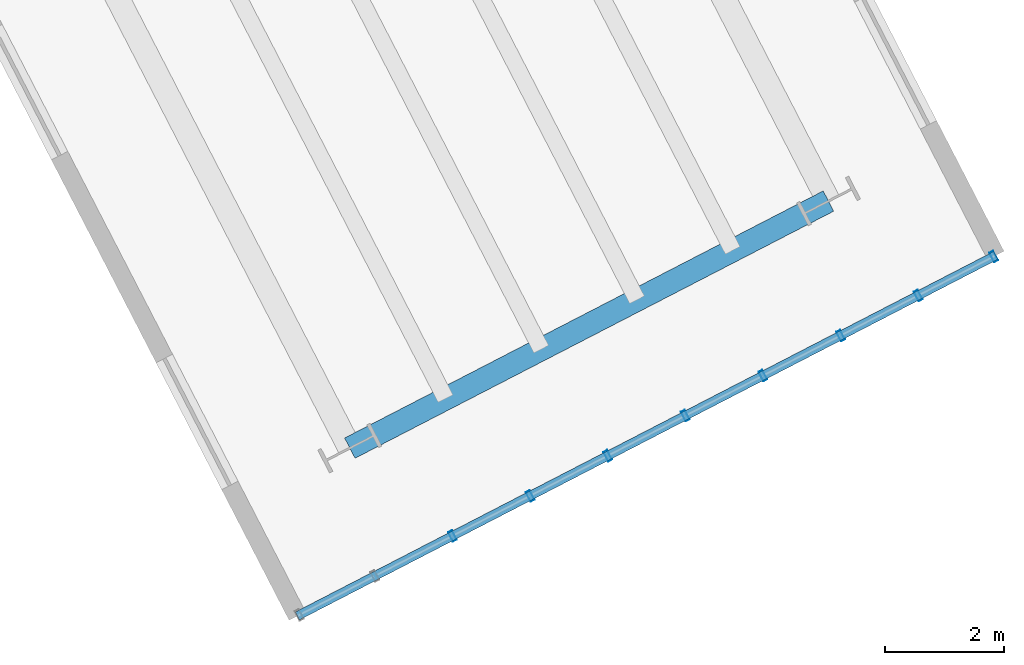
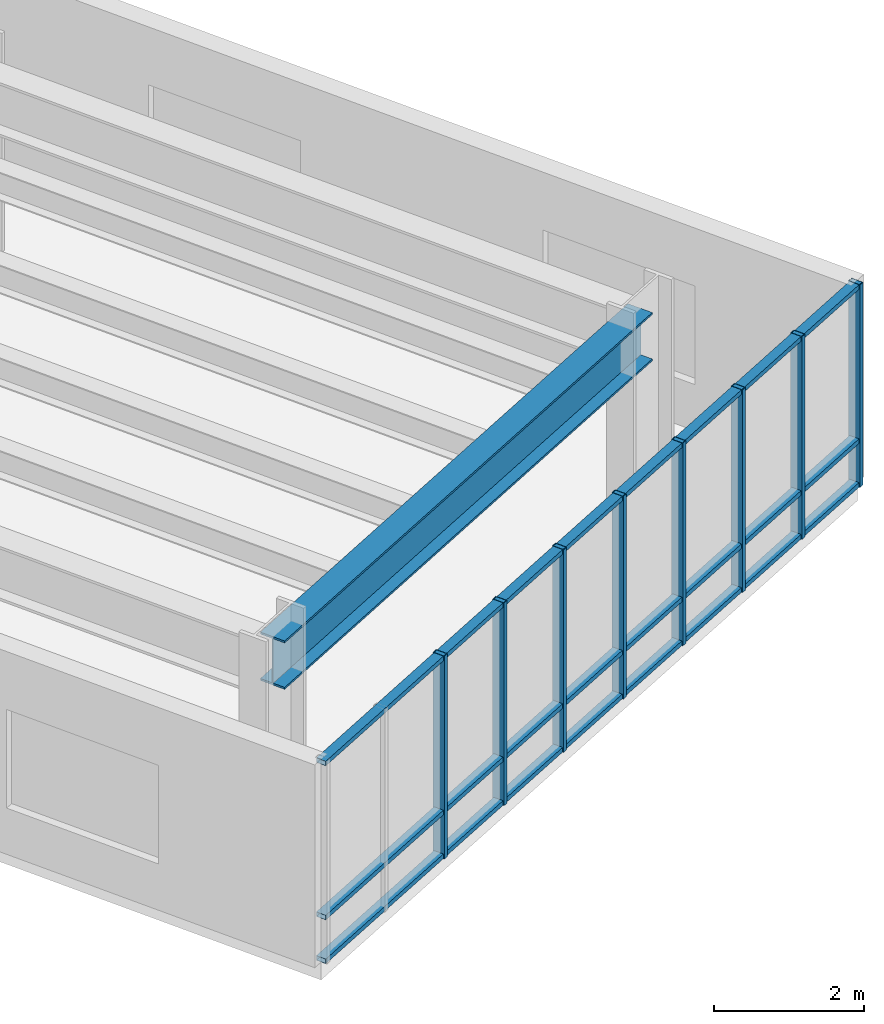
# One storey, part 4 of 11: 11 members, 1 beam, 1 element without a shape of its own.
"""IFC4 building model written with IfcOpenShell, lengths in metres."""

from ifc_helpers import new_model, si_unit, direction, frame, origin, origin_2d, place, context, subcontext, project, spatial, hollow_rectangle, i_section, extrude, material, layer, layer_set, material_profile, profile_set, type_object, element, aggregate, save


model = new_model("IFC4")

# Units and contexts
model_context = context("Model", 3, precision=1e-05, world=origin(), true_north=direction((0.0, 1.0)))
body_context = subcontext(model_context, "Body", "Model", "MODEL_VIEW")
ifc_project = project(units=[si_unit("LENGTHUNIT", "METRE"), si_unit("AREAUNIT", "SQUARE_METRE"), si_unit("VOLUMEUNIT", "CUBIC_METRE"), si_unit("PLANEANGLEUNIT", "RADIAN"), si_unit("MASSUNIT", "GRAM", prefix="KILO"), si_unit("THERMODYNAMICTEMPERATUREUNIT", "KELVIN"), si_unit("POWERUNIT", "WATT")], contexts=[model_context])

# Site, building, storey
site_placement = place(None, origin())
site = spatial("IfcSite", under=ifc_project, at=site_placement, CompositionType="ELEMENT")
building_placement = place(site_placement, origin())
building = spatial("IfcBuilding", under=site, at=building_placement, Name="Skarre Station Tower", CompositionType="ELEMENT")
storey_placement = place(building_placement, frame((0.0, 0.0, 241.89990234375)))
storey = spatial("IfcBuildingStorey", under=building, at=storey_placement, Name="L66", CompositionType="ELEMENT", Elevation=241.89990234375)

# Curtain wall, members
ifc_material_1 = material(Name="Thermally Broken Bronze-Anodized Aluminium & Triple Low-E Glass", Category="aluminium")
ifc_layer = layer(ifc_material_1, 0.2099609375, Name="Thermally Broken Bronze-Anodized Aluminium & Triple Low-E Glass")
ifc_layer_set = layer_set([ifc_layer], Name="Thermally Broken Bronze-Anodized Aluminium & Triple Low-E Glass")
curtain_wall_type = type_object("IfcCurtainWallType", Name="Sky-Bar Prow Structural Glazed Curtain Wall", PredefinedType="NOTDEFINED", material=ifc_layer_set)
curtain_wall_placement = place(storey_placement, origin())
curtain_wall = element("IfcCurtainWall", 1, at=curtain_wall_placement, inside=storey, type_object=curtain_wall_type, Name="L66 SB-5 Lakefront Prow Curtain Wall", PredefinedType="NOTDEFINED")
ifc_material_2 = material(Name="Anodized Aluminium 6063-T6", Category="aluminium")
ifc_material_profile_1 = material_profile(ifc_material_2, hollow_rectangle(XDim=0.074951171875, YDim=0.14990234375, WallThickness=0.00390625, at=origin_2d()), Name="Anodized Aluminium 6063-T6")
ifc_profile_set_1 = profile_set([ifc_material_profile_1], Name="Anodized Aluminium 6063-T6")
member_type_1 = type_object("IfcMemberType", Name="Curtain-Wall Secondary Transom 150x75", PredefinedType="USERDEFINED", material=ifc_profile_set_1)
member_1_placement = place(storey_placement, frame((56.969970703125, -4.160888671875, 0.0400390625), z_axis=(-0.888574451081, -0.458732432782, 0.0), x_axis=(0.0, 0.0, 1.0)))
member_1 = element("IfcMember", 2, at=member_1_placement, type_object=member_type_1, Name="L66 SB-5 Lakefront Prow Curtain Wall Transom 1", ObjectType="TRANSOM", PredefinedType="USERDEFINED", context=body_context, shape_type="SweptSolid", body=[
    extrude(hollow_rectangle(XDim=0.074951171875, YDim=0.14990234375, WallThickness=0.00390625, at=origin_2d()), origin(), (0.0, 0.0, 1.0), 13.19970703125),
])
member_2_placement = place(storey_placement, frame((56.969970703125, -4.160888671875, 0.75), z_axis=(-0.888574451081, -0.458732432782, 0.0), x_axis=(0.0, 0.0, 1.0)))
member_2 = element("IfcMember", 3, at=member_2_placement, type_object=member_type_1, Name="L66 SB-5 Lakefront Prow Curtain Wall Transom 2", ObjectType="TRANSOM", PredefinedType="USERDEFINED", context=body_context, shape_type="SweptSolid", body=[
    extrude(hollow_rectangle(XDim=0.074951171875, YDim=0.14990234375, WallThickness=0.00390625, at=origin_2d()), origin(), (0.0, 0.0, 1.0), 13.19970703125),
])
member_3_placement = place(storey_placement, frame((56.969970703125, -4.160888671875, 3.25), z_axis=(-0.888574451081, -0.458732432782, 0.0), x_axis=(0.0, 0.0, 1.0)))
member_3 = element("IfcMember", 4, at=member_3_placement, type_object=member_type_1, Name="L66 SB-5 Lakefront Prow Curtain Wall Transom 3", ObjectType="TRANSOM", PredefinedType="USERDEFINED", context=body_context, shape_type="SweptSolid", body=[
    extrude(hollow_rectangle(XDim=0.074951171875, YDim=0.14990234375, WallThickness=0.00390625, at=origin_2d()), origin(), (0.0, 0.0, 1.0), 13.19970703125),
])
ifc_material_profile_2 = material_profile(ifc_material_2, hollow_rectangle(XDim=0.074951171875, YDim=0.179931640625, WallThickness=0.00390625, at=origin_2d()), Name="Anodized Aluminium 6063-T6")
ifc_profile_set_2 = profile_set([ifc_material_profile_2], Name="Anodized Aluminium 6063-T6")
member_type_2 = type_object("IfcMemberType", Name="Curtain-Wall Unitised Tower Mullion 180x75", PredefinedType="MULLION", material=ifc_profile_set_2)
member_4_placement = place(storey_placement, frame((56.93408203125, -4.178955078125, 0.0), z_axis=(0.0, 0.0, 1.0), x_axis=(-0.888577204547, -0.45872709922, 0.0)))
member_4 = element("IfcMember", 5, at=member_4_placement, type_object=member_type_2, Name="L66 SB-5 Lakefront Prow Curtain Wall Mullion 1", PredefinedType="MULLION", context=body_context, shape_type="SweptSolid", body=[
    extrude(hollow_rectangle(XDim=0.074951171875, YDim=0.179931640625, WallThickness=0.00390625, at=origin_2d()), origin(), (0.0, 0.0, 1.0), 3.2900390625),
])
member_5_placement = place(storey_placement, frame((55.6669921875, -4.833984375, 0.0), z_axis=(0.0, 0.0, 1.0), x_axis=(-0.888577204547, -0.45872709922, 0.0)))
member_5 = element("IfcMember", 6, at=member_5_placement, type_object=member_type_2, Name="L66 SB-5 Lakefront Prow Curtain Wall Mullion 2", PredefinedType="MULLION", context=body_context, shape_type="SweptSolid", body=[
    extrude(hollow_rectangle(XDim=0.074951171875, YDim=0.179931640625, WallThickness=0.00390625, at=origin_2d()), origin(), (0.0, 0.0, 1.0), 3.2900390625),
])
member_6_placement = place(storey_placement, frame((54.364013671875, -5.507080078125, 0.0), z_axis=(0.0, 0.0, 1.0), x_axis=(-0.888577204547, -0.45872709922, 0.0)))
member_6 = element("IfcMember", 7, at=member_6_placement, type_object=member_type_2, Name="L66 SB-5 Lakefront Prow Curtain Wall Mullion 3", PredefinedType="MULLION", context=body_context, shape_type="SweptSolid", body=[
    extrude(hollow_rectangle(XDim=0.074951171875, YDim=0.179931640625, WallThickness=0.00390625, at=origin_2d()), origin(), (0.0, 0.0, 1.0), 3.2900390625),
])
member_7_placement = place(storey_placement, frame((53.06005859375, -6.178955078125, 0.0), z_axis=(0.0, 0.0, 1.0), x_axis=(-0.888577204547, -0.45872709922, 0.0)))
member_7 = element("IfcMember", 8, at=member_7_placement, type_object=member_type_2, Name="L66 SB-5 Lakefront Prow Curtain Wall Mullion 4", PredefinedType="MULLION", context=body_context, shape_type="SweptSolid", body=[
    extrude(hollow_rectangle(XDim=0.074951171875, YDim=0.179931640625, WallThickness=0.00390625, at=origin_2d()), origin(), (0.0, 0.0, 1.0), 3.2900390625),
])
member_8_placement = place(storey_placement, frame((51.757080078125, -6.85205078125, 0.0), z_axis=(0.0, 0.0, 1.0), x_axis=(-0.888577204547, -0.45872709922, 0.0)))
member_8 = element("IfcMember", 9, at=member_8_placement, type_object=member_type_2, Name="L66 SB-5 Lakefront Prow Curtain Wall Mullion 5", PredefinedType="MULLION", context=body_context, shape_type="SweptSolid", body=[
    extrude(hollow_rectangle(XDim=0.074951171875, YDim=0.179931640625, WallThickness=0.00390625, at=origin_2d()), origin(), (0.0, 0.0, 1.0), 3.2900390625),
])
member_9_placement = place(storey_placement, frame((50.4541015625, -7.52490234375, 0.0), z_axis=(0.0, 0.0, 1.0), x_axis=(-0.888577204547, -0.45872709922, 0.0)))
member_9 = element("IfcMember", 10, at=member_9_placement, type_object=member_type_2, Name="L66 SB-5 Lakefront Prow Curtain Wall Mullion 6", PredefinedType="MULLION", context=body_context, shape_type="SweptSolid", body=[
    extrude(hollow_rectangle(XDim=0.074951171875, YDim=0.179931640625, WallThickness=0.00390625, at=origin_2d()), origin(), (0.0, 0.0, 1.0), 3.2900390625),
])
member_10_placement = place(storey_placement, frame((49.15087890625, -8.197998046875, 0.0), z_axis=(0.0, 0.0, 1.0), x_axis=(-0.888577204547, -0.45872709922, 0.0)))
member_10 = element("IfcMember", 11, at=member_10_placement, type_object=member_type_2, Name="L66 SB-5 Lakefront Prow Curtain Wall Mullion 7", PredefinedType="MULLION", context=body_context, shape_type="SweptSolid", body=[
    extrude(hollow_rectangle(XDim=0.074951171875, YDim=0.179931640625, WallThickness=0.00390625, at=origin_2d()), origin(), (0.0, 0.0, 1.0), 3.2900390625),
])
member_11_placement = place(storey_placement, frame((47.846923828125, -8.8701171875, 0.0), z_axis=(0.0, 0.0, 1.0), x_axis=(-0.888577204547, -0.45872709922, 0.0)))
member_11 = element("IfcMember", 12, at=member_11_placement, type_object=member_type_2, Name="L66 SB-5 Lakefront Prow Curtain Wall Mullion 8", PredefinedType="MULLION", context=body_context, shape_type="SweptSolid", body=[
    extrude(hollow_rectangle(XDim=0.074951171875, YDim=0.179931640625, WallThickness=0.00390625, at=origin_2d()), origin(), (0.0, 0.0, 1.0), 3.2900390625),
])
aggregate(curtain_wall, [member_4, member_5, member_6, member_7, member_8, member_9, member_10, member_11, member_1, member_2, member_3])

# Beam
ifc_material_3 = material(Name="Steel ASTM A992 Grade 50", Category="steel")
ifc_material_profile_3 = material_profile(ifc_material_3, i_section(OverallWidth=0.384033203125, OverallDepth=0.785888671875, WebThickness=0.02001953125, FlangeThickness=0.032958984375, at=origin_2d()), Name="Steel ASTM A992 Grade 50")
ifc_profile_set_3 = profile_set([ifc_material_profile_3], Name="Steel ASTM A992 Grade 50")
beam_type = type_object("IfcBeamType", Name="Steel Spandrel W30X211", PredefinedType="SPANDREL", material=ifc_profile_set_3)
beam_placement = place(storey_placement, frame((46.123046875, -7.39697265625, 2.8720703125), z_axis=(0.888604333632, 0.458674545021, 0.0), x_axis=(-0.458674545021, 0.888604333632, 0.0)))
element("IfcBeam", 13, at=beam_placement, inside=storey, type_object=beam_type, Name="L66 SB-5 Prow Spandrel Girder", PredefinedType="SPANDREL", context=body_context, shape_type="SweptSolid", body=[
    extrude(i_section(OverallWidth=0.384033203125, OverallDepth=0.785888671875, WebThickness=0.02001953125, FlangeThickness=0.032958984375, at=origin_2d()), origin(), (0.0, 0.0, 1.0), 9.04541015625),
])

save(model, "model.ifc")
